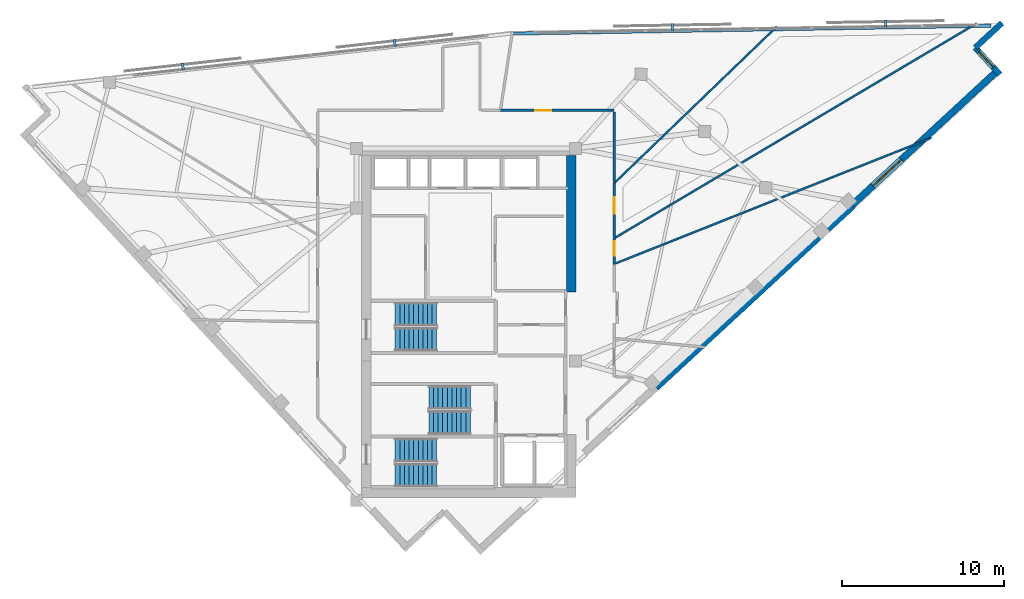
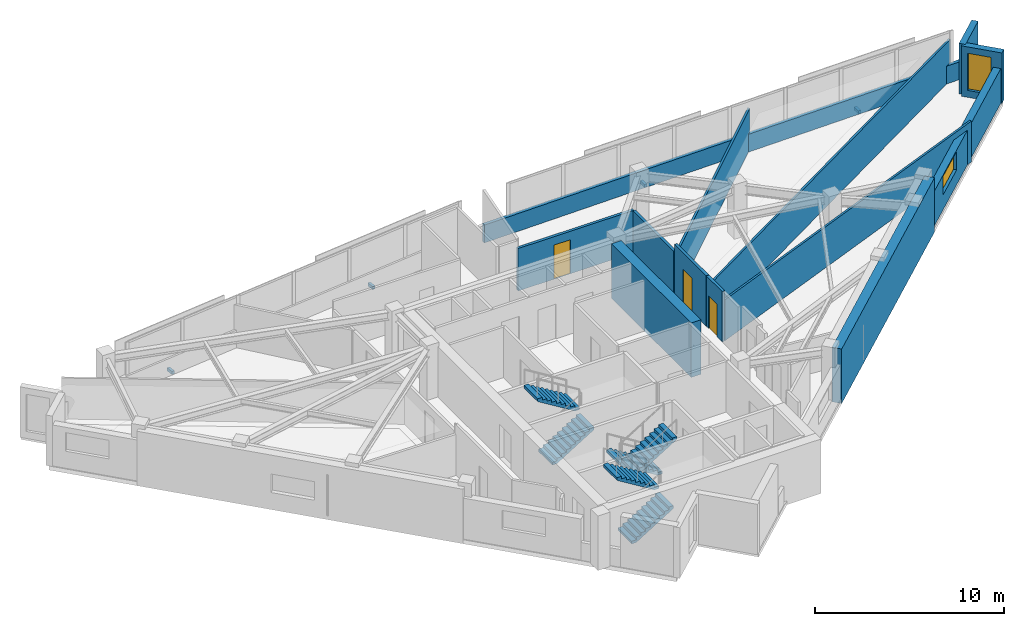
# One storey, part 11 of 13: 13 walls, 6 stair flights, 4 discrete accessories, 3 doors, 2 windows, 5 openings, 3 elements without a shape of their own.
"""IFC4 building model written with IfcOpenShell, lengths in metres."""

from ifc_helpers import new_model, si_unit, direction, frame, frame_2d, origin, origin_2d, place, context, subcontext, project, spatial, polyline, rectangle, outline, extrude, material, layer, layer_set, type_object, element, fill, aggregate, save


model = new_model("IFC4")

# Units and contexts
model_context = context("Model", 3, precision=1e-05, world=origin(), true_north=direction((0.0, 1.0)))
body_context = subcontext(model_context, "Body", "Model", "MODEL_VIEW")
ifc_project = project(units=[si_unit("LENGTHUNIT", "METRE"), si_unit("AREAUNIT", "SQUARE_METRE"), si_unit("VOLUMEUNIT", "CUBIC_METRE"), si_unit("PLANEANGLEUNIT", "RADIAN"), si_unit("MASSUNIT", "GRAM", prefix="KILO")], contexts=[model_context])

# Site, building, storey
site_placement = place(None, origin())
site = spatial("IfcSite", under=ifc_project, at=site_placement, CompositionType="ELEMENT")
building_placement = place(site_placement, origin())
building = spatial("IfcBuilding", under=site, at=building_placement, Name="Narakoshi Arena Tower", CompositionType="ELEMENT")
storey_placement = place(building_placement, frame((0.0, 0.0, 274.820068359375)))
storey = spatial("IfcBuildingStorey", under=building, at=storey_placement, Name="L75", CompositionType="ELEMENT", Elevation=274.820068359375)

# Wall
ifc_material_1 = material(Name="Concrete C50/60", Category="concrete")
ifc_layer_1 = layer(ifc_material_1, 0.60009765625)
ifc_layer_set_1 = layer_set([ifc_layer_1], Name="Concrete C50/60")
wall_type_1 = type_object("IfcWallType", Name="WL-CORE-600", PredefinedType="SHEAR", material=ifc_layer_set_1)
wall_1_placement = place(storey_placement, frame((85.300048828125, 47.60009765625, -0.260009765625), z_axis=(0.0, 0.0, 1.0), x_axis=(0.0, 1.0, 0.0)))
element("IfcWall", 1, at=wall_1_placement, inside=storey, type_object=wall_type_1, Name="L75 Main Core Shear Wall CW-MN-E", PredefinedType="SHEAR", context=body_context, shape_type="SweptSolid", body=[
    extrude(rectangle(XDim=8.449951171875, YDim=0.60009765625, at=frame_2d((4.22509765625, 0.0))), origin(), (0.0, 0.0, 1.0), 3.52001953125),
])

# Wall, opening, door
ifc_material_2 = material(Name="Gypsum plasterboard fire-rated partition")
ifc_layer_2 = layer(ifc_material_2, 0.1650390625)
ifc_layer_set_2 = layer_set([ifc_layer_2], Name="Gypsum plasterboard fire-rated partition")
wall_type_2 = type_object("IfcWallType", Name="WL-CORR-165", PredefinedType="PARTITIONING", material=ifc_layer_set_2)
wall_2_placement = place(storey_placement, frame((87.949951171875, 49.306640625, 0.0), z_axis=(0.0, 0.0, 1.0), x_axis=(0.0, 1.0, 0.0)))
wall_2 = element("IfcWall", 2, at=wall_2_placement, inside=storey, type_object=wall_type_2, Name="L75 Corridor Partition 03-1", PredefinedType="PARTITIONING", context=body_context, shape_type="SweptSolid", body=[
    extrude(rectangle(XDim=1.66064453125, YDim=0.1650390625, at=frame_2d((0.830322265625, 0.0))), origin(), (0.0, 0.0, 1.0), 3.260009765625),
])
opening_1_placement = place(wall_2_placement, frame((0.54638671875, 0.0, 0.0)))
opening_1 = element("IfcOpeningElement", 3, at=opening_1_placement, cuts=wall_2, Name="Opening D-08", PredefinedType="OPENING", context=body_context, shape_type="SweptSolid", body=[
    extrude(rectangle(XDim=0.89990234375, YDim=2.10009765625, at=frame_2d((0.449951171875, 1.050048828125))), frame((0.0, 0.092529296875, 0.0), z_axis=(0.0, -1.0, 0.0), x_axis=(1.0, 0.0, 0.0)), (0.0, 0.0, 1.0), 0.18505859375),
])
ifc_material_3 = material(Name="Moisture-resistant laminate timber", Category="wood")
door_type_1 = type_object("IfcDoorType", Name="DR-WC-900", OperationType="NOTDEFINED", PredefinedType="DOOR", material=ifc_material_3)
door_1_placement = place(opening_1_placement, frame((0.89990234375, 0.0, 0.0), z_axis=(0.0, 0.0, 1.0), x_axis=(-1.0, 0.0, 0.0)))
door_1 = element("IfcDoor", 4, at=door_1_placement, inside=storey, type_object=door_type_1, Name="DR-L75-016", OperationType="SINGLE_SWING_LEFT", OverallHeight=2.10009765625, OverallWidth=0.89990234375, PredefinedType="DOOR", context=body_context, shape_type="SweptSolid", body=[
    extrude(rectangle(XDim=0.89990234375, YDim=2.10009765625, at=frame_2d((0.449951171875, 1.050048828125))), frame((0.0, 0.02490234375, 0.0), z_axis=(0.0, -1.0, 0.0), x_axis=(1.0, 0.0, 0.0)), (0.0, 0.0, 1.0), 0.050048828125),
])
fill(opening_1, door_1)

wall_3_placement = place(storey_placement, frame((87.949951171875, 50.9951171875, 0.0), z_axis=(0.0, 0.0, 1.0), x_axis=(0.0, 1.0, 0.0)))
wall_3 = element("IfcWall", 5, at=wall_3_placement, inside=storey, type_object=wall_type_2, Name="L75 Corridor Partition 05-1", PredefinedType="PARTITIONING", context=body_context, shape_type="SweptSolid", body=[
    extrude(rectangle(XDim=3.347412109375, YDim=0.1650390625, at=frame_2d((1.673828125, 0.0))), origin(), (0.0, 0.0, 1.0), 3.260009765625),
])
opening_2_placement = place(wall_3_placement, frame((1.4658203125, 0.0, 0.0)))
opening_2 = element("IfcOpeningElement", 6, at=opening_2_placement, cuts=wall_3, Name="Opening D-06", PredefinedType="OPENING", context=body_context, shape_type="SweptSolid", body=[
    extrude(rectangle(XDim=1.0, YDim=2.199951171875, at=frame_2d((0.5, 1.10009765625))), frame((0.0, 0.092529296875, 0.0), z_axis=(0.0, -1.0, 0.0), x_axis=(1.0, 0.0, 0.0)), (0.0, 0.0, 1.0), 0.18505859375),
])
ifc_material_4 = material(Name="Stained oak solid-core timber", Category="wood")
door_type_2 = type_object("IfcDoorType", Name="DR-OFF-1000", OperationType="NOTDEFINED", PredefinedType="DOOR", material=ifc_material_4)
door_2_placement = place(opening_2_placement, frame((1.0, 0.0, 0.0), z_axis=(0.0, 0.0, 1.0), x_axis=(-1.0, 0.0, 0.0)))
door_2 = element("IfcDoor", 7, at=door_2_placement, inside=storey, type_object=door_type_2, Name="DR-L75-018", OperationType="SINGLE_SWING_LEFT", OverallHeight=2.199951171875, OverallWidth=1.0, PredefinedType="DOOR", context=body_context, shape_type="SweptSolid", body=[
    extrude(rectangle(XDim=1.0, YDim=2.199951171875, at=frame_2d((0.5, 1.10009765625))), frame((0.0, 0.02490234375, 0.0), z_axis=(0.0, -1.0, 0.0), x_axis=(1.0, 0.0, 0.0)), (0.0, 0.0, 1.0), 0.050048828125),
])
fill(opening_2, door_2)

wall_4_placement = place(storey_placement, frame((87.949951171875, 58.85009765625, 0.0), z_axis=(0.0, 0.0, 1.0), x_axis=(-1.0, 0.0, 0.0)))
wall_4 = element("IfcWall", 8, at=wall_4_placement, inside=storey, type_object=wall_type_2, Name="L75 Corridor Partition 06-1", PredefinedType="PARTITIONING", context=body_context, shape_type="SweptSolid", body=[
    extrude(rectangle(XDim=7.07470703125, YDim=0.1650390625, at=frame_2d((3.537353515625, 0.0))), origin(), (0.0, 0.0, 1.0), 2.744873046875),
])
opening_3_placement = place(wall_4_placement, frame((3.888671875, 0.0, 0.0)))
opening_3 = element("IfcOpeningElement", 9, at=opening_3_placement, cuts=wall_4, Name="Opening D-06", PredefinedType="OPENING", context=body_context, shape_type="SweptSolid", body=[
    extrude(rectangle(XDim=1.0, YDim=2.199951171875, at=frame_2d((0.5, 1.10009765625))), frame((0.0, 0.092529296875, 0.0), z_axis=(0.0, -1.0, 0.0), x_axis=(1.0, 0.0, 0.0)), (0.0, 0.0, 1.0), 0.18505859375),
])
door_3_placement = place(opening_3_placement, frame((1.0, 0.0, 0.0), z_axis=(0.0, 0.0, 1.0), x_axis=(-1.0, 0.0, 0.0)))
door_3 = element("IfcDoor", 10, at=door_3_placement, inside=storey, type_object=door_type_2, Name="DR-L75-019", OperationType="SINGLE_SWING_RIGHT", OverallHeight=2.199951171875, OverallWidth=1.0, PredefinedType="DOOR", context=body_context, shape_type="SweptSolid", body=[
    extrude(rectangle(XDim=1.0, YDim=2.199951171875, at=frame_2d((0.5, 1.10009765625))), frame((0.0, 0.02490234375, 0.0), z_axis=(0.0, -1.0, 0.0), x_axis=(1.0, 0.0, 0.0)), (0.0, 0.0, 1.0), 0.050048828125),
])
fill(opening_3, door_3)

# Walls
wall_5_placement = place(storey_placement, frame((87.949951171875, 54.446044921875, 0.0), z_axis=(0.0, 0.0, 1.0), x_axis=(0.0, 1.0, 0.0)))
element("IfcWall", 11, at=wall_5_placement, inside=storey, type_object=wall_type_2, Name="L75 Corridor Partition 06-2", PredefinedType="PARTITIONING", context=body_context, shape_type="SweptSolid", body=[
    extrude(rectangle(XDim=4.3095703125, YDim=0.1650390625, at=frame_2d((2.15478515625, 0.0))), origin(), (0.0, 0.0, 1.0), 2.744873046875),
])
ifc_layer_3 = layer(ifc_material_1, 0.550048828125)
ifc_layer_set_3 = layer_set([ifc_layer_3], Name="Concrete C50/60")
wall_type_3 = type_object("IfcWallType", Name="WL-LEG-550", PredefinedType="SHEAR", material=ifc_layer_set_3)
wall_6_placement = place(storey_placement, frame((90.5078125, 41.739501953125, -0.260009765625), z_axis=(0.0, 0.0, 1.0), x_axis=(0.734315848115, 0.678807951638, 0.0)))
element("IfcWall", 12, at=wall_6_placement, inside=storey, type_object=wall_type_3, Name="L75 Architectural Concrete Structural Wall LEGA-3", PredefinedType="SHEAR", context=body_context, shape_type="SweptSolid", body=[
    extrude(rectangle(XDim=16.57275390625, YDim=0.550048828125, at=frame_2d((8.286376953125, 0.0))), origin(), (0.0, 0.0, 1.0), 3.52001953125),
])
ifc_material_5 = material(Name="Precast concrete C45/55", Category="concrete")
ifc_layer_4 = layer(ifc_material_5, 0.25)
ifc_layer_set_4 = layer_set([ifc_layer_4], Name="Precast concrete C45/55")
wall_type_4 = type_object("IfcWallType", Name="WL-PARA-250", PredefinedType="PARAPET", material=ifc_layer_set_4)
wall_7_placement = place(storey_placement, frame((111.2705078125, 64.091796875, 0.0), z_axis=(0.0, 0.0, 1.0), x_axis=(-0.999864741935, -0.016446818413, 0.0)))
element("IfcWall", 13, at=wall_7_placement, inside=storey, type_object=wall_type_4, Name="L75 Hypotenuse Sill Upstand Parapet 1-01", PredefinedType="PARAPET", context=body_context, shape_type="SweptSolid", body=[
    extrude(rectangle(XDim=29.73291015625, YDim=0.199951171875, at=frame_2d((14.866455078125, 0.0))), origin(), (0.0, 0.0, 1.0), 1.14990234375),
])
ifc_layer_5 = layer(ifc_material_2, 0.125)
ifc_layer_set_5 = layer_set([ifc_layer_5], Name="Gypsum plasterboard fire-rated partition")
wall_type_5 = type_object("IfcWallType", Name="WL-PART-125", PredefinedType="PARTITIONING", material=ifc_layer_set_5)
wall_8_placement = place(storey_placement, frame((107.58154296875, 57.14794921875, 0.0), z_axis=(0.0, 0.0, 1.0), x_axis=(-0.929293726801, -0.369341534801, 0.0)))
element("IfcWall", 14, at=wall_8_placement, inside=storey, type_object=wall_type_5, Name="L75 Inter-Room Partition 03-04", PredefinedType="PARTITIONING", context=body_context, shape_type="SweptSolid", body=[
    extrude(rectangle(XDim=21.023681640625, YDim=0.125, at=frame_2d((10.51171875, 0.0))), origin(), (0.0, 0.0, 1.0), 2.64501953125),
])
wall_9_placement = place(storey_placement, frame((88.004150390625, 50.96728515625, 0.0), z_axis=(0.0, 0.0, 1.0), x_axis=(0.860188184562, 0.509976751567, 0.0)))
element("IfcWall", 15, at=wall_9_placement, inside=storey, type_object=wall_type_5, Name="L75 Inter-Room Partition 03-05", PredefinedType="PARTITIONING", context=body_context, shape_type="SweptSolid", body=[
    extrude(rectangle(XDim=26.020751953125, YDim=0.125, at=frame_2d((13.01025390625, 0.0))), origin(), (0.0, 0.0, 1.0), 2.64501953125),
])
wall_10_placement = place(storey_placement, frame((87.949951171875, 54.342529296875, 0.0), z_axis=(0.0, 0.0, 1.0), x_axis=(0.720280435733, 0.693682992368, 0.0)))
element("IfcWall", 16, at=wall_10_placement, inside=storey, type_object=wall_type_5, Name="L75 Inter-Room Partition 05-06", PredefinedType="PARTITIONING", context=body_context, shape_type="SweptSolid", body=[
    extrude(rectangle(XDim=13.970703125, YDim=0.125, at=frame_2d((6.9853515625, 0.0))), origin(), (0.0, 0.0, 1.0), 2.64501953125),
])

# Wall, opening, window
ifc_layer_6 = layer(ifc_material_5, 0.419921875)
ifc_layer_set_6 = layer_set([ifc_layer_6], Name="Precast concrete C45/55")
wall_type_6 = type_object("IfcWallType", Name="WL-POD-420", PredefinedType="SOLIDWALL", material=ifc_layer_set_6)
wall_11_placement = place(storey_placement, frame((102.677490234375, 52.9892578125, 0.0), z_axis=(0.0, 0.0, 1.0), x_axis=(0.734331107219, 0.678791444386, 0.0)))
wall_11 = element("IfcWall", 17, at=wall_11_placement, inside=storey, type_object=wall_type_6, Name="L75 Architectural Concrete Facade Wall LEGA-4", PredefinedType="SOLIDWALL", context=body_context, shape_type="SweptSolid", body=[
    extrude(rectangle(XDim=12.21142578125, YDim=0.419921875, at=frame_2d((6.105712890625, 0.0))), origin(), (0.0, 0.0, 1.0), 2.244873046875),
])
opening_4_placement = place(wall_11_placement, frame((1.75390625, 0.0, 0.965087890625)))
opening_4 = element("IfcOpeningElement", 18, at=opening_4_placement, cuts=wall_11, Name="Opening WN-04", PredefinedType="OPENING", context=body_context, shape_type="SweptSolid", body=[
    extrude(rectangle(XDim=2.39990234375, YDim=1.199951171875, at=frame_2d((1.199951171875, 0.60009765625))), frame((0.0, 0.219970703125, 0.0), z_axis=(0.0, -1.0, 0.0), x_axis=(1.0, 0.0, 0.0)), (0.0, 0.0, 1.0), 0.43994140625),
])
ifc_material_6 = material(Name="Bronze-tinted low-E laminated glass", Category="glass")
window_type_1 = type_object("IfcWindowType", Name="WIN-SLT-24x12", PartitioningType="SINGLE_PANEL", PredefinedType="WINDOW", material=ifc_material_6)
window_1_placement = place(opening_4_placement, origin())
window_1 = element("IfcWindow", 19, at=window_1_placement, inside=storey, type_object=window_type_1, Name="L75 LEGA4 Horizontal Slot Window 1", OverallHeight=1.199951171875, OverallWidth=2.39990234375, PartitioningType="SINGLE_PANEL", PredefinedType="WINDOW", context=body_context, shape_type="SweptSolid", body=[
    extrude(rectangle(XDim=2.39990234375, YDim=1.199951171875, at=frame_2d((1.199951171875, 0.60009765625))), frame((0.0, 0.030029296875, 0.0), z_axis=(0.0, -1.0, 0.0), x_axis=(1.0, 0.0, 0.0)), (0.0, 0.0, 1.0), 0.06005859375),
])
fill(opening_4, window_1)

wall_12_placement = place(storey_placement, frame((111.83154296875, 61.076416015625, 0.0), z_axis=(0.0, 0.0, 1.0), x_axis=(-0.678792531533, 0.734330102294, 0.0)))
wall_12 = element("IfcWall", 20, at=wall_12_placement, inside=storey, type_object=wall_type_6, Name="L75 Re-Entrant Corner Notch Wall NTE-1", PredefinedType="SOLIDWALL", context=body_context, shape_type="SweptSolid", body=[
    extrude(rectangle(XDim=2.255126953125, YDim=0.360107421875, at=frame_2d((1.12744140625, 0.0))), origin(), (0.0, 0.0, 1.0), 3.260009765625),
])
opening_5_placement = place(wall_12_placement, frame((0.614990234375, 0.0, 0.449951171875)))
opening_5 = element("IfcOpeningElement", 21, at=opening_5_placement, cuts=wall_12, Name="Opening WN-06", PredefinedType="OPENING", context=body_context, shape_type="SweptSolid", body=[
    extrude(rectangle(XDim=1.300048828125, YDim=2.39990234375, at=frame_2d((0.64990234375, 1.199951171875))), frame((0.0, 0.18994140625, 0.0), z_axis=(0.0, -1.0, 0.0), x_axis=(1.0, 0.0, 0.0)), (0.0, 0.0, 1.0), 0.380126953125),
])
window_type_2 = type_object("IfcWindowType", Name="WIN-NTC-16x24", PartitioningType="SINGLE_PANEL", PredefinedType="WINDOW", material=ifc_material_6)
window_2_placement = place(opening_5_placement, origin())
window_2 = element("IfcWindow", 22, at=window_2_placement, inside=storey, type_object=window_type_2, Name="L75 Corner Notch Window NTE", OverallHeight=2.39990234375, OverallWidth=1.300048828125, PartitioningType="SINGLE_PANEL", PredefinedType="WINDOW", context=body_context, shape_type="SweptSolid", body=[
    extrude(rectangle(XDim=1.300048828125, YDim=2.39990234375, at=frame_2d((0.64990234375, 1.199951171875))), frame((0.0, 0.030029296875, 0.0), z_axis=(0.0, -1.0, 0.0), x_axis=(1.0, 0.0, 0.0)), (0.0, 0.0, 1.0), 0.06005859375),
])
fill(opening_5, window_2)

# Wall
wall_13_placement = place(storey_placement, frame((110.30078125, 62.732421875, 0.0), z_axis=(0.0, 0.0, 1.0), x_axis=(0.734330102294, 0.678792531533, 0.0)))
element("IfcWall", 23, at=wall_13_placement, inside=storey, type_object=wall_type_6, Name="L75 Re-Entrant Corner Notch Wall NTE-2", PredefinedType="SOLIDWALL", context=body_context, shape_type="SweptSolid", body=[
    extrude(rectangle(XDim=2.255126953125, YDim=0.360107421875, at=frame_2d((1.12744140625, 0.0))), origin(), (0.0, 0.0, 1.0), 3.260009765625),
])

# Stair, stair flights
ifc_material_7 = material(Name="Concrete C45/55", Category="concrete")
stair_type = type_object("IfcStairType", Name="STR-CORE-352", PredefinedType="TWO_STRAIGHT_RUN_STAIR", material=ifc_material_7)
stair_1_placement = place(storey_placement, origin())
stair_1 = element("IfcStair", 24, at=stair_1_placement, inside=storey, type_object=stair_type, Name="L75 Core Escape Stair ST1", PredefinedType="TWO_STRAIGHT_RUN_STAIR")
stair_flight_type = type_object("IfcStairFlightType", Name="FLT-145-160", PredefinedType="STRAIGHT", material=ifc_material_5)
stair_flight_1_placement = place(storey_placement, frame((74.39990234375, 36.27490234375, 0.0), z_axis=(0.0, 0.0, 1.0), x_axis=(1.0, 0.0, 0.0)))
stair_flight_1 = element("IfcStairFlight", 25, at=stair_flight_1_placement, type_object=stair_flight_type, Name="ST1 flight 1", NumberOfRisers=10, NumberOfTreads=9, PredefinedType="STRAIGHT", RiserHeight=0.176, TreadLength=0.285, context=body_context, shape_type="SweptSolid", body=[
    extrude(outline(polyline([(0.0, 0.0), (0.0, 0.176025390625), (0.284912109375, 0.176025390625), (0.284912109375, 0.35205078125), (0.570068359375, 0.35205078125), (0.570068359375, 0.528076171875), (0.85498046875, 0.528076171875), (0.85498046875, 0.7041015625), (1.139892578125, 0.7041015625), (1.139892578125, 0.8798828125), (1.425048828125, 0.8798828125), (1.425048828125, 1.055908203125), (1.7099609375, 1.055908203125), (1.7099609375, 1.23193359375), (1.9951171875, 1.23193359375), (1.9951171875, 1.407958984375), (2.280029296875, 1.407958984375), (2.280029296875, 1.583984375), (2.56494140625, 1.583984375), (2.56494140625, 1.760009765625), (2.56494140625, 1.40771484375), (0.285400390625, 0.0), (0.0, 0.0)])), frame((0.0, 0.72509765625, 0.0), z_axis=(0.0, -1.0, 0.0), x_axis=(1.0, 0.0, 0.0)), (0.0, 0.0, 1.0), 1.449951171875),
])
stair_flight_2_placement = place(storey_placement, frame((76.965087890625, 37.824951171875, 1.760009765625), z_axis=(0.0, 0.0, 1.0), x_axis=(-1.0, 0.0, 0.0)))
stair_flight_2 = element("IfcStairFlight", 26, at=stair_flight_2_placement, type_object=stair_flight_type, Name="ST1 flight 2", NumberOfRisers=10, NumberOfTreads=9, PredefinedType="STRAIGHT", RiserHeight=0.176, TreadLength=0.285, context=body_context, shape_type="SweptSolid", body=[
    extrude(outline(polyline([(0.0, 0.0), (0.0, 0.176025390625), (0.284912109375, 0.176025390625), (0.284912109375, 0.35205078125), (0.570068359375, 0.35205078125), (0.570068359375, 0.528076171875), (0.85498046875, 0.528076171875), (0.85498046875, 0.7041015625), (1.139892578125, 0.7041015625), (1.139892578125, 0.8798828125), (1.425048828125, 0.8798828125), (1.425048828125, 1.055908203125), (1.7099609375, 1.055908203125), (1.7099609375, 1.23193359375), (1.9951171875, 1.23193359375), (1.9951171875, 1.407958984375), (2.280029296875, 1.407958984375), (2.280029296875, 1.583984375), (2.56494140625, 1.583984375), (2.56494140625, 1.760009765625), (2.56494140625, 1.40771484375), (0.285400390625, 0.0), (0.0, 0.0)])), frame((0.0, 0.72509765625, 0.0), z_axis=(0.0, -1.0, 0.0), x_axis=(1.0, 0.0, 0.0)), (0.0, 0.0, 1.0), 1.449951171875),
])
aggregate(stair_1, [stair_flight_1, stair_flight_2])

stair_2_placement = place(storey_placement, origin())
stair_2 = element("IfcStair", 27, at=stair_2_placement, inside=storey, type_object=stair_type, Name="L75 Core Escape Stair ST2", PredefinedType="TWO_STRAIGHT_RUN_STAIR")
stair_flight_3_placement = place(storey_placement, frame((79.050048828125, 41.074951171875, 0.0), z_axis=(0.0, 0.0, 1.0), x_axis=(-1.0, 0.0, 0.0)))
stair_flight_3 = element("IfcStairFlight", 28, at=stair_flight_3_placement, type_object=stair_flight_type, Name="ST2 flight 1", NumberOfRisers=10, NumberOfTreads=9, PredefinedType="STRAIGHT", RiserHeight=0.176, TreadLength=0.285, context=body_context, shape_type="SweptSolid", body=[
    extrude(outline(polyline([(0.0, 0.0), (0.0, 0.176025390625), (0.284912109375, 0.176025390625), (0.284912109375, 0.35205078125), (0.570068359375, 0.35205078125), (0.570068359375, 0.528076171875), (0.85498046875, 0.528076171875), (0.85498046875, 0.7041015625), (1.139892578125, 0.7041015625), (1.139892578125, 0.8798828125), (1.425048828125, 0.8798828125), (1.425048828125, 1.055908203125), (1.7099609375, 1.055908203125), (1.7099609375, 1.23193359375), (1.9951171875, 1.23193359375), (1.9951171875, 1.407958984375), (2.280029296875, 1.407958984375), (2.280029296875, 1.583984375), (2.56494140625, 1.583984375), (2.56494140625, 1.760009765625), (2.56494140625, 1.40771484375), (0.285400390625, 0.0), (0.0, 0.0)])), frame((0.0, 0.72509765625, 0.0), z_axis=(0.0, -1.0, 0.0), x_axis=(1.0, 0.0, 0.0)), (0.0, 0.0, 1.0), 1.449951171875),
])
stair_flight_4_placement = place(storey_placement, frame((76.485107421875, 39.52490234375, 1.760009765625), z_axis=(0.0, 0.0, 1.0), x_axis=(1.0, 0.0, 0.0)))
stair_flight_4 = element("IfcStairFlight", 29, at=stair_flight_4_placement, type_object=stair_flight_type, Name="ST2 flight 2", NumberOfRisers=10, NumberOfTreads=9, PredefinedType="STRAIGHT", RiserHeight=0.176, TreadLength=0.285, context=body_context, shape_type="SweptSolid", body=[
    extrude(outline(polyline([(0.0, 0.0), (0.0, 0.176025390625), (0.284912109375, 0.176025390625), (0.284912109375, 0.35205078125), (0.570068359375, 0.35205078125), (0.570068359375, 0.528076171875), (0.85498046875, 0.528076171875), (0.85498046875, 0.7041015625), (1.139892578125, 0.7041015625), (1.139892578125, 0.8798828125), (1.425048828125, 0.8798828125), (1.425048828125, 1.055908203125), (1.7099609375, 1.055908203125), (1.7099609375, 1.23193359375), (1.9951171875, 1.23193359375), (1.9951171875, 1.407958984375), (2.280029296875, 1.407958984375), (2.280029296875, 1.583984375), (2.56494140625, 1.583984375), (2.56494140625, 1.760009765625), (2.56494140625, 1.40771484375), (0.285400390625, 0.0), (0.0, 0.0)])), frame((0.0, 0.72509765625, 0.0), z_axis=(0.0, -1.0, 0.0), x_axis=(1.0, 0.0, 0.0)), (0.0, 0.0, 1.0), 1.449951171875),
])
aggregate(stair_2, [stair_flight_3, stair_flight_4])

stair_3_placement = place(storey_placement, origin())
stair_3 = element("IfcStair", 30, at=stair_3_placement, inside=storey, type_object=stair_type, Name="L75 Core Escape Stair ST3", PredefinedType="TWO_STRAIGHT_RUN_STAIR")
stair_flight_5_placement = place(storey_placement, frame((74.39990234375, 44.675048828125, 0.0), z_axis=(0.0, 0.0, 1.0), x_axis=(1.0, 0.0, 0.0)))
stair_flight_5 = element("IfcStairFlight", 31, at=stair_flight_5_placement, type_object=stair_flight_type, Name="ST3 flight 1", NumberOfRisers=10, NumberOfTreads=9, PredefinedType="STRAIGHT", RiserHeight=0.176, TreadLength=0.285, context=body_context, shape_type="SweptSolid", body=[
    extrude(outline(polyline([(0.0, 0.0), (0.0, 0.176025390625), (0.284912109375, 0.176025390625), (0.284912109375, 0.35205078125), (0.570068359375, 0.35205078125), (0.570068359375, 0.528076171875), (0.85498046875, 0.528076171875), (0.85498046875, 0.7041015625), (1.139892578125, 0.7041015625), (1.139892578125, 0.8798828125), (1.425048828125, 0.8798828125), (1.425048828125, 1.055908203125), (1.7099609375, 1.055908203125), (1.7099609375, 1.23193359375), (1.9951171875, 1.23193359375), (1.9951171875, 1.407958984375), (2.280029296875, 1.407958984375), (2.280029296875, 1.583984375), (2.56494140625, 1.583984375), (2.56494140625, 1.760009765625), (2.56494140625, 1.40771484375), (0.285400390625, 0.0), (0.0, 0.0)])), frame((0.0, 0.72509765625, 0.0), z_axis=(0.0, -1.0, 0.0), x_axis=(1.0, 0.0, 0.0)), (0.0, 0.0, 1.0), 1.449951171875),
])
stair_flight_6_placement = place(storey_placement, frame((76.965087890625, 46.22509765625, 1.760009765625), z_axis=(0.0, 0.0, 1.0), x_axis=(-1.0, 0.0, 0.0)))
stair_flight_6 = element("IfcStairFlight", 32, at=stair_flight_6_placement, type_object=stair_flight_type, Name="ST3 flight 2", NumberOfRisers=10, NumberOfTreads=9, PredefinedType="STRAIGHT", RiserHeight=0.176, TreadLength=0.285, context=body_context, shape_type="SweptSolid", body=[
    extrude(outline(polyline([(0.0, 0.0), (0.0, 0.176025390625), (0.284912109375, 0.176025390625), (0.284912109375, 0.35205078125), (0.570068359375, 0.35205078125), (0.570068359375, 0.528076171875), (0.85498046875, 0.528076171875), (0.85498046875, 0.7041015625), (1.139892578125, 0.7041015625), (1.139892578125, 0.8798828125), (1.425048828125, 0.8798828125), (1.425048828125, 1.055908203125), (1.7099609375, 1.055908203125), (1.7099609375, 1.23193359375), (1.9951171875, 1.23193359375), (1.9951171875, 1.407958984375), (2.280029296875, 1.407958984375), (2.280029296875, 1.583984375), (2.56494140625, 1.583984375), (2.56494140625, 1.760009765625), (2.56494140625, 1.40771484375), (0.285400390625, 0.0), (0.0, 0.0)])), frame((0.0, 0.72509765625, 0.0), z_axis=(0.0, -1.0, 0.0), x_axis=(1.0, 0.0, 0.0)), (0.0, 0.0, 1.0), 1.449951171875),
])
aggregate(stair_3, [stair_flight_5, stair_flight_6])

# Discrete accessories
ifc_material_8 = material(Name="Structural steel S355J2", Category="steel")
discrete_accessory_type = type_object("IfcDiscreteAccessoryType", Name="ACC-BRK-SCR", PredefinedType="BRACKET", material=ifc_material_8)
for number, where, z_axis, x_axis, name in (
    (33, (104.75634765625, 64.224609375, -0.080078125), (0.0, 0.0, 1.0), (-0.999864849778, -0.016440260879, 0.0), "L75 Solar Screen Support Bracket SHD-L75-SCR1-1"),
    (34, (91.55810546875, 64.007568359375, -0.080078125), (0.0, 0.0, 1.0), (-0.999864849778, -0.016440260879, 0.0), "L75 Solar Screen Support Bracket SHD-L75-SCR1-2"),
    (35, (74.374755859375, 63.040283203125, -0.080078125), (0.0, 0.0, 1.0), (-0.993775698738, -0.111399553846, 0.0), "L75 Solar Screen Support Bracket SHD-L75-SCR2-1"),
    (36, (61.2568359375, 61.56982421875, -0.080078125), (0.0, 0.0, 1.0), (-0.993775698738, -0.111399553846, 0.0), "L75 Solar Screen Support Bracket SHD-L75-SCR2-2"),
):
    element("IfcDiscreteAccessory", number, at=place(storey_placement, frame(where, z_axis=z_axis, x_axis=x_axis)), inside=storey, type_object=discrete_accessory_type, Name=name, PredefinedType="BRACKET", context=body_context, shape_type="SweptSolid", body=[
        extrude(rectangle(XDim=0.159912109375, YDim=0.43994140625, at=origin_2d()), origin(), (0.0, 0.0, 1.0), 0.199951171875),
    ])

save(model, "model.ifc")
